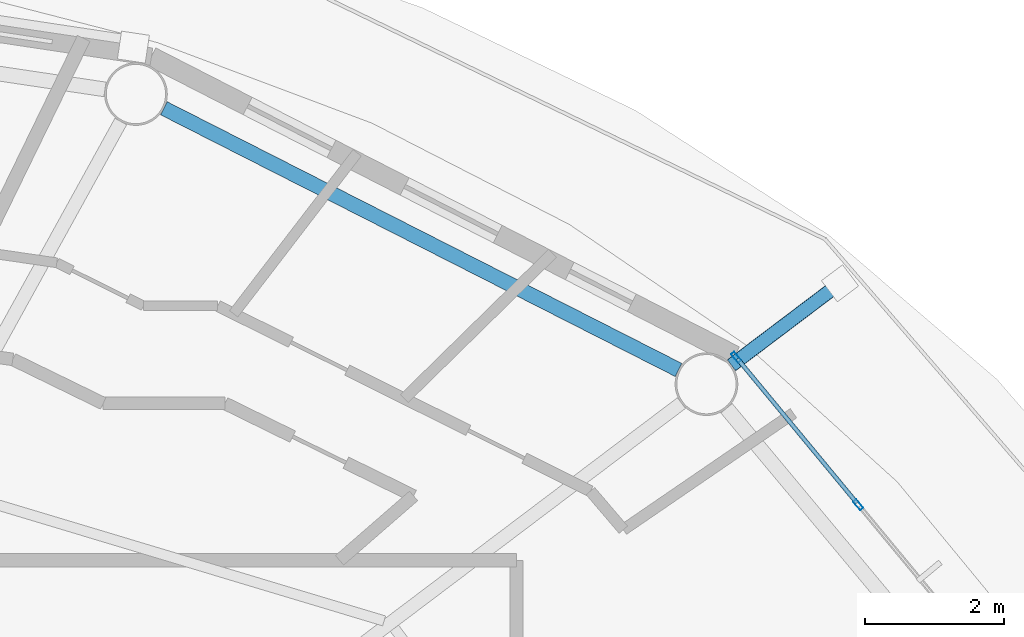
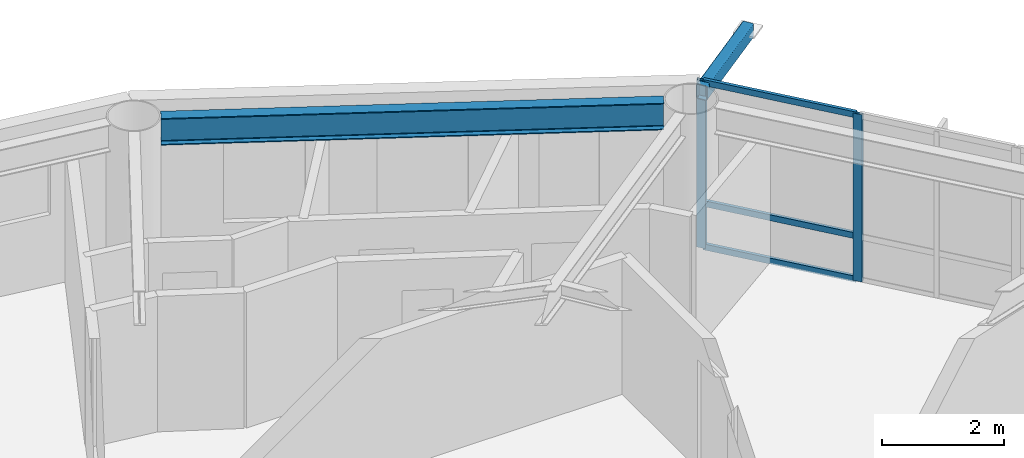
# One storey, part 11 of 23: 6 members, 1 beam, 1 element without a shape of its own.
"""IFC4 building model written with IfcOpenShell, lengths in metres."""

from ifc_helpers import new_model, si_unit, direction, frame, origin, origin_2d, place, context, subcontext, project, spatial, hollow_rectangle, i_section, extrude, material, layer, layer_set, material_profile, profile_set, type_object, element, aggregate, save


model = new_model("IFC4")

# Units and contexts
model_context = context("Model", 3, precision=1e-05, world=origin(), true_north=direction((0.0, 1.0)))
body_context = subcontext(model_context, "Body", "Model", "MODEL_VIEW")
ifc_project = project(units=[si_unit("LENGTHUNIT", "METRE"), si_unit("AREAUNIT", "SQUARE_METRE"), si_unit("VOLUMEUNIT", "CUBIC_METRE"), si_unit("PLANEANGLEUNIT", "RADIAN"), si_unit("MASSUNIT", "GRAM", prefix="KILO")], contexts=[model_context])

# Site, building, storey
site_placement = place(None, origin())
site = spatial("IfcSite", under=ifc_project, at=site_placement, CompositionType="ELEMENT")
building_placement = place(site_placement, origin())
building = spatial("IfcBuilding", under=site, at=building_placement, Name="Sarneth Arch Tower", CompositionType="ELEMENT")
storey_placement = place(building_placement, frame((0.0, 0.0, 220.800048828125)))
storey = spatial("IfcBuildingStorey", under=building, at=storey_placement, Name="L56", CompositionType="ELEMENT", Elevation=220.800048828125)

# Beam
ifc_material_1 = material(Name="Steel S355", Category="steel")
ifc_material_profile_1 = material_profile(ifc_material_1, i_section(OverallWidth=0.2109375, OverallDepth=0.5390625, WebThickness=0.01171875, FlangeThickness=0.018798828125, FilletRadius=0.01806640625, at=origin_2d()), Name="W530x109")
ifc_profile_set_1 = profile_set([ifc_material_profile_1], Name="Steel S355")
beam_type = type_object("IfcBeamType", Name="BM-RAD-530B", PredefinedType="BEAM", material=ifc_profile_set_1)
beam_placement = place(storey_placement, frame((65.57421875, 55.780517578125, 3.09033203125), z_axis=(-0.891376248079, 0.453264144138, 0.0), x_axis=(-0.453264144138, -0.891376248079, 0.0)))
element("IfcBeam", 1, at=beam_placement, inside=storey, type_object=beam_type, Name="L56 Perimeter spandrel beam 03", PredefinedType="BEAM", context=body_context, shape_type="SweptSolid", body=[
    extrude(i_section(OverallWidth=0.2109375, OverallDepth=0.5390625, WebThickness=0.01171875, FlangeThickness=0.018798828125, FilletRadius=0.01806640625, at=origin_2d()), origin(), (0.0, 0.0, 1.0), 8.281982421875),
])

# Curtain wall, members
ifc_material_2 = material(Name="Anodised aluminium Type AA25 and solar-control low-e laminated IGU", Category="aluminium")
ifc_layer = layer(ifc_material_2, 0.179931640625)
ifc_layer_set = layer_set([ifc_layer], Name="Anodised aluminium Type AA25 and solar-control low-e laminated IGU")
curtain_wall_type = type_object("IfcCurtainWallType", Name="CW-RES-HIGH", PredefinedType="NOTDEFINED", material=ifc_layer_set)
curtain_wall_placement = place(storey_placement, origin())
curtain_wall = element("IfcCurtainWall", 2, at=curtain_wall_placement, inside=storey, type_object=curtain_wall_type, Name="L56 Unitised curtain wall facet 02", PredefinedType="NOTDEFINED")
ifc_material_3 = material(Name="Anodised Aluminium 6063-T6", Category="aluminium")
ifc_material_profile_2 = material_profile(ifc_material_3, hollow_rectangle(XDim=0.06005859375, YDim=0.159912109375, WallThickness=0.00390625, at=origin_2d()), Name="AL-MULL-160x60x4")
ifc_profile_set_2 = profile_set([ifc_material_profile_2], Name="Anodised Aluminium 6063-T6")
member_type_1 = type_object("IfcMemberType", Name="CW-MULLION", PredefinedType="MULLION", material=ifc_profile_set_2)
member_1_placement = place(storey_placement, frame((68.15283203125, 53.84765625, 0.0), z_axis=(0.0, 0.0, 1.0), x_axis=(-0.770359245933, -0.637610094184, 0.0)))
member_1 = element("IfcMember", 3, at=member_1_placement, type_object=member_type_1, Name="CW-SYS-6 mullion 3", PredefinedType="MULLION", context=body_context, shape_type="SweptSolid", body=[
    extrude(hollow_rectangle(XDim=0.06005859375, YDim=0.159912109375, WallThickness=0.00390625, at=origin_2d()), origin(), (0.0, 0.0, 1.0), 3.35986328125),
])
member_2_placement = place(storey_placement, frame((66.401611328125, 55.96337890625, 0.0), z_axis=(0.0, 0.0, 1.0), x_axis=(-0.770359245933, -0.637610094184, 0.0)))
member_2 = element("IfcMember", 4, at=member_2_placement, type_object=member_type_1, Name="CW-SYS-6 mullion 4", PredefinedType="MULLION", context=body_context, shape_type="SweptSolid", body=[
    extrude(hollow_rectangle(XDim=0.06005859375, YDim=0.159912109375, WallThickness=0.00390625, at=origin_2d()), origin(), (0.0, 0.0, 1.0), 3.35986328125),
])
ifc_material_4 = material(Name="Anodised Aluminium 6063-T6", Category="aluminium")
ifc_material_profile_3 = material_profile(ifc_material_4, hollow_rectangle(XDim=0.06005859375, YDim=0.1201171875, WallThickness=0.00390625, at=origin_2d()), Name="AL-TRAN-120x60x4")
ifc_profile_set_3 = profile_set([ifc_material_profile_3], Name="Anodised Aluminium 6063-T6")
member_type_2 = type_object("IfcMemberType", Name="CW-TRANSOM", PredefinedType="USERDEFINED", material=ifc_profile_set_3)
member_3_placement = place(storey_placement, frame((68.1337890625, 53.87060546875, 0.030029296875), z_axis=(-0.637606765719, 0.770362000821, 0.0), x_axis=(-0.770362000821, -0.637606765719, 0.0)))
member_3 = element("IfcMember", 5, at=member_3_placement, type_object=member_type_2, Name="CW-SYS-6 transom 3.1", ObjectType="TRANSOM", PredefinedType="USERDEFINED", context=body_context, shape_type="SweptSolid", body=[
    extrude(hollow_rectangle(XDim=0.06005859375, YDim=0.1201171875, WallThickness=0.00390625, at=origin_2d()), origin(), (0.0, 0.0, 1.0), 2.686767578125),
])
member_4_placement = place(storey_placement, frame((68.1337890625, 53.87060546875, 0.89990234375), z_axis=(-0.637606765719, 0.770362000821, 0.0), x_axis=(-0.770362000821, -0.637606765719, 0.0)))
member_4 = element("IfcMember", 6, at=member_4_placement, type_object=member_type_2, Name="CW-SYS-6 transom 3.2", ObjectType="TRANSOM", PredefinedType="USERDEFINED", context=body_context, shape_type="SweptSolid", body=[
    extrude(hollow_rectangle(XDim=0.06005859375, YDim=0.1201171875, WallThickness=0.00390625, at=origin_2d()), origin(), (0.0, 0.0, 1.0), 2.686767578125),
])
member_5_placement = place(storey_placement, frame((68.1337890625, 53.87060546875, 3.329833984375), z_axis=(-0.637606765719, 0.770362000821, 0.0), x_axis=(-0.770362000821, -0.637606765719, 0.0)))
member_5 = element("IfcMember", 7, at=member_5_placement, type_object=member_type_2, Name="CW-SYS-6 transom 3.3", ObjectType="TRANSOM", PredefinedType="USERDEFINED", context=body_context, shape_type="SweptSolid", body=[
    extrude(hollow_rectangle(XDim=0.06005859375, YDim=0.1201171875, WallThickness=0.00390625, at=origin_2d()), origin(), (0.0, 0.0, 1.0), 2.686767578125),
])
aggregate(curtain_wall, [member_1, member_2, member_3, member_4, member_5])

# Member
ifc_material_5 = material(Name="Steel S355", Category="steel")
ifc_material_profile_4 = material_profile(ifc_material_5, hollow_rectangle(XDim=0.199951171875, YDim=0.300048828125, WallThickness=0.012451171875, InnerFilletRadius=0.018798828125, OuterFilletRadius=0.03125, at=origin_2d()), Name="RHS300x200x12.5")
ifc_profile_set_4 = profile_set([ifc_material_profile_4], Name="Steel S355")
member_type_3 = type_object("IfcMemberType", Name="MEM-CANT-STRUT", PredefinedType="STRUT", material=ifc_profile_set_4)
member_6_placement = place(storey_placement, frame((66.334228515625, 55.84765625, 3.199951171875), z_axis=(0.797952925815, 0.602719775835, 0.0), x_axis=(-0.602719775835, 0.797952925815, 0.0)))
element("IfcMember", 8, at=member_6_placement, inside=storey, type_object=member_type_3, Name="L56 Balcony cantilever bracket 03", PredefinedType="STRUT", context=body_context, shape_type="SweptSolid", body=[
    extrude(hollow_rectangle(XDim=0.199951171875, YDim=0.300048828125, WallThickness=0.012451171875, InnerFilletRadius=0.018798828125, OuterFilletRadius=0.03125, at=origin_2d()), origin(), (0.0, 0.0, 1.0), 1.95068359375),
])

save(model, "model.ifc")
